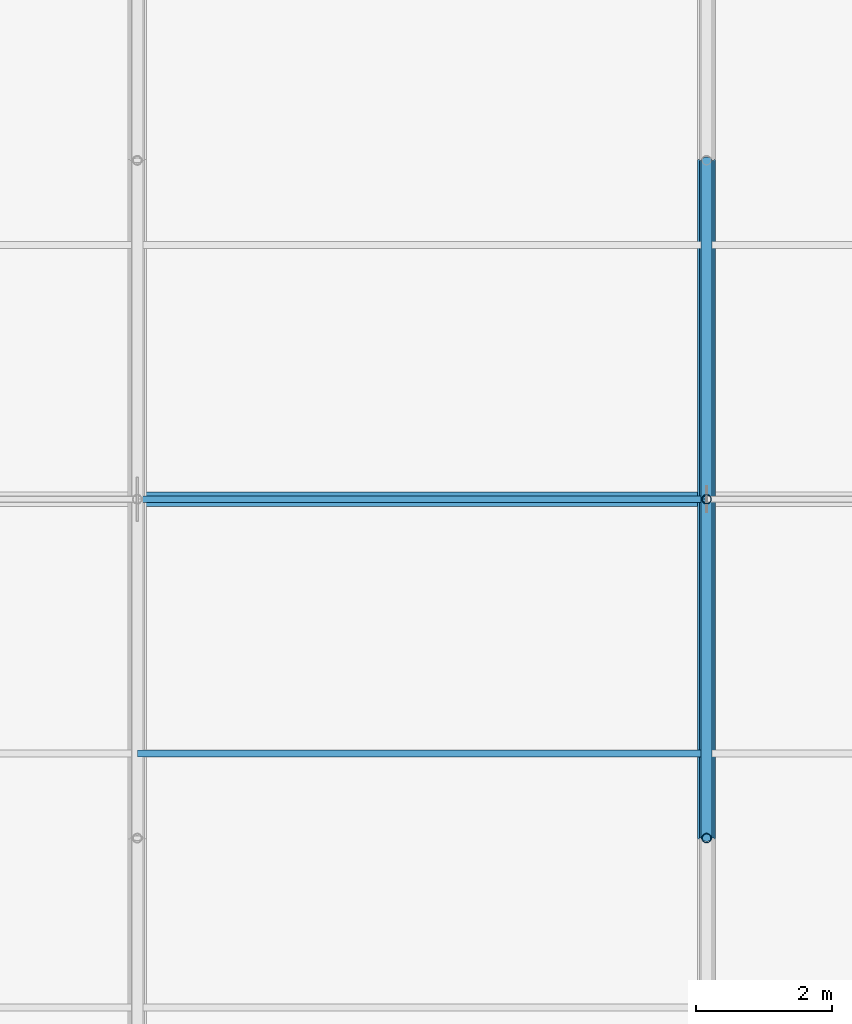
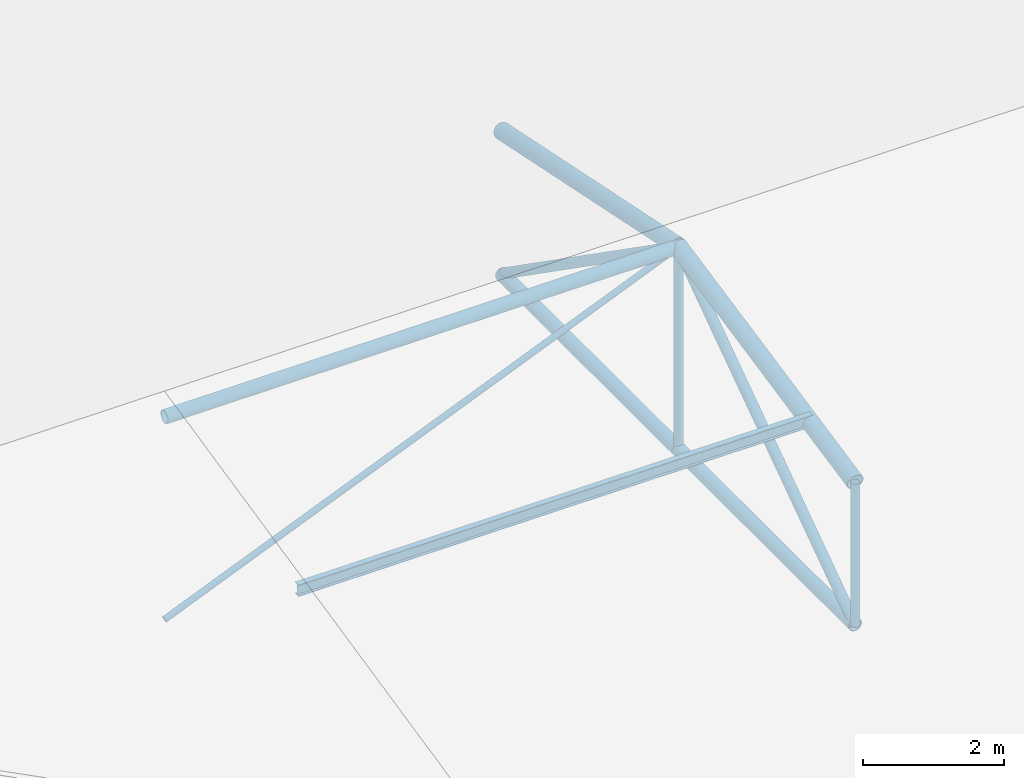
# One storey, part 24 of 194: 10 members, 1 beam.
"""IFC4 building model written with IfcOpenShell, lengths in metres."""

from ifc_helpers import new_model, si_unit, direction, frame, origin, origin_2d, place, context, subcontext, project, spatial, hollow_circle, i_section, extrude, material, material_profile, profile_set, type_object, element, save


model = new_model("IFC4")

# Units and contexts
model_context = context("Model", 3, precision=1e-05, world=origin(), true_north=direction((0.0, 1.0)))
body_context = subcontext(model_context, "Body", "Model", "MODEL_VIEW")
ifc_project = project(units=[si_unit("LENGTHUNIT", "METRE"), si_unit("AREAUNIT", "SQUARE_METRE"), si_unit("VOLUMEUNIT", "CUBIC_METRE"), si_unit("PLANEANGLEUNIT", "RADIAN"), si_unit("MASSUNIT", "GRAM", prefix="KILO")], contexts=[model_context])

# Site, building, storey
site_placement = place(None, origin())
site = spatial("IfcSite", under=ifc_project, at=site_placement, CompositionType="ELEMENT")
building_placement = place(site_placement, origin())
building = spatial("IfcBuilding", under=site, at=building_placement, Name="Kazenagashi Tramway Depot", CompositionType="ELEMENT")
storey_placement = place(building_placement, frame((0.0, 0.0, 23.7)))
storey = spatial("IfcBuildingStorey", under=building, at=storey_placement, Name="ROOF", CompositionType="ELEMENT", Elevation=23.7)

# Beam
ifc_material_1 = material(Name="Steel SN400B", Category="steel")
ifc_material_profile_1 = material_profile(ifc_material_1, i_section(OverallWidth=0.1, OverallDepth=0.2, WebThickness=0.0055, FlangeThickness=0.008, at=origin_2d()), Name="H-200x100x5.5x8")
ifc_profile_set_1 = profile_set([ifc_material_profile_1], Name="Steel SN400B")
beam_type = type_object("IfcBeamType", Name="PR-01", PredefinedType="USERDEFINED", material=ifc_profile_set_1)
beam_placement = place(storey_placement, frame((70.0, 81.25, -11.305), z_axis=(1.0, 0.0, 0.0), x_axis=(0.0, 1.0, 0.0)))
element("IfcBeam", 1, at=beam_placement, inside=storey, type_object=beam_type, Name="Beam PR-01 BM-2057", ObjectType="PURLIN", PredefinedType="USERDEFINED", context=body_context, shape_type="SweptSolid", body=[
    extrude(i_section(OverallWidth=0.1, OverallDepth=0.2, WebThickness=0.0055, FlangeThickness=0.008, at=origin_2d()), origin(), (0.0, 0.0, 1.0), 8.4),
])

# Members
ifc_material_2 = material(Name="Steel STK490", Category="steel")
ifc_material_profile_2 = material_profile(ifc_material_2, hollow_circle(Radius=0.1337, WallThickness=0.0093, at=origin_2d()), Name="CHS-267.4x9.3")
ifc_profile_set_2 = profile_set([ifc_material_profile_2], Name="Steel STK490")
member_type_1 = type_object("IfcMemberType", Name="TC-01", PredefinedType="CHORD", material=ifc_profile_set_2)
for number, where, z_axis, x_axis, name in (
    (2, (78.4, 80.0, -11.633), (0.0, 0.979317999984, 0.202327098797), (-1.0, 0.0, 0.0), "Tubular Space Frame TC-01 MEM-0251"),
    (3, (78.4, 85.0, -10.6), (0.0, 0.979317999984, -0.202327098797), (-1.0, 0.0, 0.0), "Tubular Space Frame TC-01 MEM-0254"),
):
    element("IfcMember", number, at=place(storey_placement, frame(where, z_axis=z_axis, x_axis=x_axis)), inside=storey, type_object=member_type_1, Name=name, PredefinedType="CHORD", context=body_context, shape_type="SweptSolid", body=[
        extrude(hollow_circle(Radius=0.1337, WallThickness=0.0093, at=origin_2d()), origin(), (0.0, 0.0, 1.0), 5.105594),
    ])
ifc_material_profile_3 = material_profile(ifc_material_2, hollow_circle(Radius=0.10815, WallThickness=0.0082, at=origin_2d()), Name="CHS-216.3x8.2")
ifc_profile_set_3 = profile_set([ifc_material_profile_3], Name="Steel STK490")
member_type_2 = type_object("IfcMemberType", Name="TC-02", PredefinedType="CHORD", material=ifc_profile_set_3)
member_1_placement = place(storey_placement, frame((70.0, 85.0, -10.6), z_axis=(1.0, 0.0, 0.0), x_axis=(0.0, 1.0, 0.0)))
element("IfcMember", 4, at=member_1_placement, inside=storey, type_object=member_type_2, Name="Tubular Space Frame TC-02 MEM-0211", PredefinedType="CHORD", context=body_context, shape_type="SweptSolid", body=[
    extrude(hollow_circle(Radius=0.10815, WallThickness=0.0082, at=origin_2d()), origin(), (0.0, 0.0, 1.0), 8.4),
])
for number, where, z_axis, x_axis, name in (
    (5, (78.4, 80.0, -14.1), (0.0, 1.0, 0.0), (-1.0, 0.0, 0.0), "Tubular Space Frame TC-02 MEM-0252"),
    (6, (78.4, 85.0, -14.1), (0.0, 1.0, 0.0), (-1.0, 0.0, 0.0), "Tubular Space Frame TC-02 MEM-0255"),
):
    element("IfcMember", number, at=place(storey_placement, frame(where, z_axis=z_axis, x_axis=x_axis)), inside=storey, type_object=member_type_2, Name=name, PredefinedType="CHORD", context=body_context, shape_type="SweptSolid", body=[
        extrude(hollow_circle(Radius=0.10815, WallThickness=0.0082, at=origin_2d()), origin(), (0.0, 0.0, 1.0), 5.0),
    ])
ifc_material_profile_4 = material_profile(ifc_material_2, hollow_circle(Radius=0.0826, WallThickness=0.0071, at=origin_2d()), Name="CHS-165.2x7.1")
ifc_profile_set_4 = profile_set([ifc_material_profile_4], Name="Steel STK490")
member_type_3 = type_object("IfcMemberType", Name="TS-01", PredefinedType="STRUT", material=ifc_profile_set_4)
for number, where, z_axis, x_axis, name in (
    (7, (78.4, 80.0, -14.1), (0.0, 0.819231920519, 0.573462344363), (-1.0, 0.0, 0.0), "Tubular Space Frame TS-01 MEM-0253"),
    (8, (78.4, 85.0, -10.6), (0.0, 0.819231920519, -0.573462344363), (-1.0, 0.0, 0.0), "Tubular Space Frame TS-01 MEM-0256"),
):
    element("IfcMember", number, at=place(storey_placement, frame(where, z_axis=z_axis, x_axis=x_axis)), inside=storey, type_object=member_type_3, Name=name, PredefinedType="STRUT", context=body_context, shape_type="SweptSolid", body=[
        extrude(hollow_circle(Radius=0.0826, WallThickness=0.0071, at=origin_2d()), origin(), (0.0, 0.0, 1.0), 6.103278),
    ])
ifc_material_profile_5 = material_profile(ifc_material_2, hollow_circle(Radius=0.0699, WallThickness=0.0066, at=origin_2d()), Name="CHS-139.8x6.6")
ifc_profile_set_5 = profile_set([ifc_material_profile_5], Name="Steel STK490")
member_type_4 = type_object("IfcMemberType", Name="TS-02", PredefinedType="STRUT", material=ifc_profile_set_5)
member_2_placement = place(storey_placement, frame((78.4, 80.0, -14.1), z_axis=(0.0, 0.0, 1.0), x_axis=(1.0, 0.0, 0.0)))
element("IfcMember", 9, at=member_2_placement, inside=storey, type_object=member_type_4, Name="Tubular Space Frame TS-02 MEM-0265", PredefinedType="STRUT", context=body_context, shape_type="SweptSolid", body=[
    extrude(hollow_circle(Radius=0.0699, WallThickness=0.0066, at=origin_2d()), origin(), (0.0, 0.0, 1.0), 2.467),
])
member_3_placement = place(storey_placement, frame((78.4, 85.0, -14.1), z_axis=(0.0, 0.0, 1.0), x_axis=(1.0, 0.0, 0.0)))
element("IfcMember", 10, at=member_3_placement, inside=storey, type_object=member_type_4, Name="Tubular Space Frame TS-02 MEM-0266", PredefinedType="STRUT", context=body_context, shape_type="SweptSolid", body=[
    extrude(hollow_circle(Radius=0.0699, WallThickness=0.0066, at=origin_2d()), origin(), (0.0, 0.0, 1.0), 3.5),
])
ifc_material_3 = material(Name="Steel STK400", Category="steel")
ifc_material_profile_6 = material_profile(ifc_material_3, hollow_circle(Radius=0.0508, WallThickness=0.0042, at=origin_2d()), Name="CHS-101.6x4.2")
ifc_profile_set_6 = profile_set([ifc_material_profile_6], Name="Steel STK400")
member_type_5 = type_object("IfcMemberType", Name="TS-06", PredefinedType="STRUT", material=ifc_profile_set_6)
member_4_placement = place(storey_placement, frame((70.0, 85.0, -14.1), z_axis=(0.923076923077, 0.0, 0.384615384615), x_axis=(0.0, 1.0, 0.0)))
element("IfcMember", 11, at=member_4_placement, inside=storey, type_object=member_type_5, Name="Tubular Space Frame TS-06 MEM-0212", PredefinedType="STRUT", context=body_context, shape_type="SweptSolid", body=[
    extrude(hollow_circle(Radius=0.0508, WallThickness=0.0042, at=origin_2d()), origin(), (0.0, 0.0, 1.0), 9.1),
])

save(model, "model.ifc")
